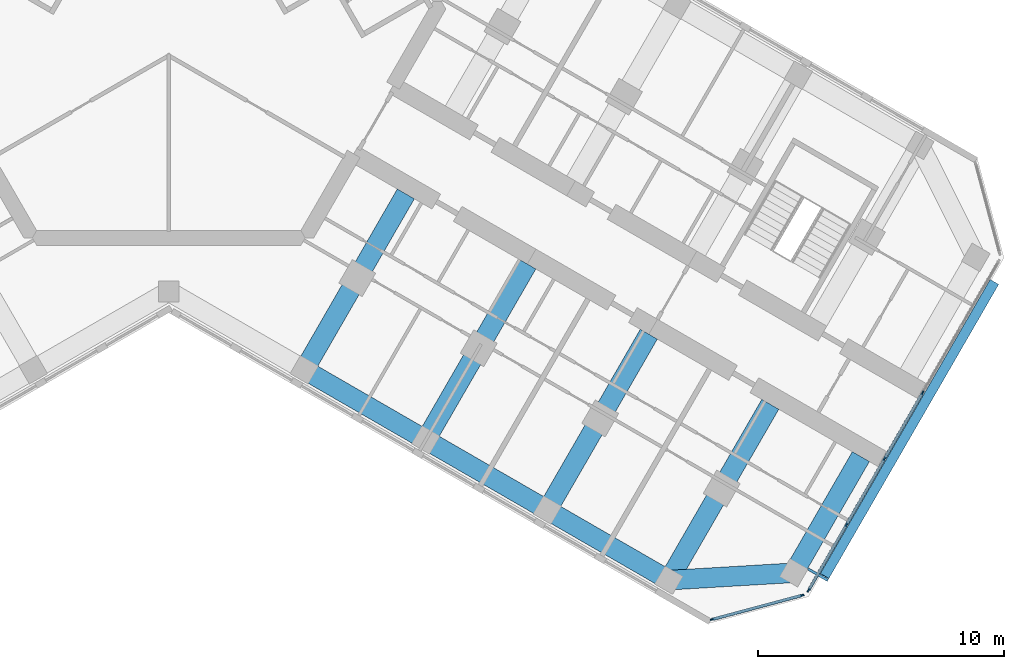
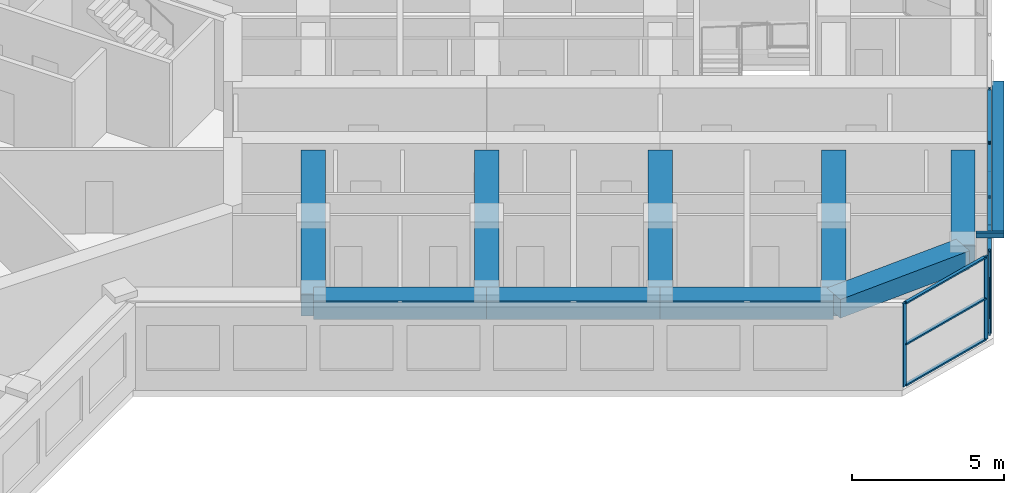
# One storey, part 4 of 16: 17 members, 9 beams, 2 elements without a shape of their own.
"""IFC4 building model written with IfcOpenShell, lengths in metres."""

from ifc_helpers import new_model, si_unit, direction, frame, origin, origin_2d, place, context, subcontext, project, spatial, rectangle, hollow_rectangle, extrude, material, material_profile, profile_set, type_object, element, aggregate, save


model = new_model("IFC4")

# Units and contexts
model_context = context("Model", 3, precision=1e-05, world=origin(), true_north=direction((0.0, 1.0)))
body_context = subcontext(model_context, "Body", "Model", "MODEL_VIEW")
ifc_project = project(units=[si_unit("LENGTHUNIT", "METRE"), si_unit("AREAUNIT", "SQUARE_METRE"), si_unit("VOLUMEUNIT", "CUBIC_METRE"), si_unit("PLANEANGLEUNIT", "RADIAN"), si_unit("MASSUNIT", "GRAM", prefix="KILO")], contexts=[model_context])

# Site, building, storey
site_placement = place(None, origin())
site = spatial("IfcSite", under=ifc_project, at=site_placement, CompositionType="ELEMENT")
building_placement = place(site_placement, origin())
building = spatial("IfcBuilding", under=site, at=building_placement, Name="Kosmar Iwan School Tower", CompositionType="ELEMENT")
storey_placement = place(building_placement, frame((0.0, 0.0, 235.199951171875)))
storey = spatial("IfcBuildingStorey", under=building, at=storey_placement, Name="L59", CompositionType="ELEMENT", Elevation=235.199951171875)

# Members
ifc_material_1 = material(Name="Black anodised aluminium", Category="aluminium")
ifc_material_profile_1 = material_profile(ifc_material_1, rectangle(XDim=0.10009765625, YDim=0.39990234375, at=origin_2d()), Name="FIN 100x400")
ifc_profile_set_1 = profile_set([ifc_material_profile_1], Name="Black anodised aluminium")
member_type_1 = type_object("IfcMemberType", Name="Diagonal fin 100x400", PredefinedType="USERDEFINED", material=ifc_profile_set_1)
member_1_placement = place(storey_placement, frame((33.54345703125, -11.40087890625, -0.14990234375), z_axis=(-0.483795538458, -0.837973939202, 0.252470897702), x_axis=(0.126233699175, 0.218647221293, 0.967604488318)))
element("IfcMember", 1, at=member_1_placement, inside=storey, type_object=member_type_1, Name="Diagonal fin L59-F01", ObjectType="FIN", PredefinedType="USERDEFINED", context=body_context, shape_type="SweptSolid", body=[
    extrude(rectangle(XDim=0.10009765625, YDim=0.39990234375, at=origin_2d()), origin(), (0.0, 0.0, 1.0), 14.258544921875),
])
ifc_material_2 = material(Name="Steel S355", Category="steel")
ifc_material_profile_2 = material_profile(ifc_material_2, hollow_rectangle(XDim=0.10009765625, YDim=0.199951171875, WallThickness=0.008056640625, at=origin_2d()), Name="RHS 200x100x8")
ifc_profile_set_2 = profile_set([ifc_material_profile_2], Name="Steel S355")
member_type_2 = type_object("IfcMemberType", Name="Fin bracket RHS 200x100", PredefinedType="USERDEFINED", material=ifc_profile_set_2)
member_2_placement = place(storey_placement, frame((25.97900390625, -23.052978515625, 3.47509765625), z_axis=(0.865943820382, -0.500141279983, 0.0), x_axis=(0.500141279983, 0.865943820382, 0.0)))
element("IfcMember", 2, at=member_2_placement, inside=storey, type_object=member_type_2, Name="Fin bracket L60", ObjectType="FIN BRACKET", PredefinedType="USERDEFINED", context=body_context, shape_type="SweptSolid", body=[
    extrude(hollow_rectangle(XDim=0.10009765625, YDim=0.199951171875, WallThickness=0.008056640625, at=origin_2d()), origin(), (0.0, 0.0, 1.0), 0.925048828125),
])

# Curtain wall, members
ifc_material_3 = material(Name="Dark glass in black aluminium frame", Category="aluminium")
curtain_wall_type_1 = type_object("IfcCurtainWallType", Name="Chamfer curtain wall dark glass", PredefinedType="USERDEFINED", material=ifc_material_3)
curtain_wall_1_placement = place(storey_placement, origin())
curtain_wall_1 = element("IfcCurtainWall", 3, at=curtain_wall_1_placement, inside=storey, type_object=curtain_wall_type_1, Name="Curtain wall L59-F00", ObjectType="FACETED CURTAIN WALL", PredefinedType="USERDEFINED")
ifc_material_4 = material(Name="Black anodised aluminium", Category="aluminium")
ifc_material_profile_3 = material_profile(ifc_material_4, rectangle(XDim=0.06005859375, YDim=0.159912109375, at=origin_2d()), Name="MULLION 60x160")
ifc_profile_set_3 = profile_set([ifc_material_profile_3], Name="Black anodised aluminium")
member_type_3 = type_object("IfcMemberType", Name="Mullion 60x160", PredefinedType="MULLION", material=ifc_profile_set_3)
member_3_placement = place(storey_placement, frame((22.0830078125, -25.102294921875, 0.0), z_axis=(0.0, 0.0, 1.0), x_axis=(-0.258818861462, 0.965925875495, 0.0)))
member_3 = element("IfcMember", 4, at=member_3_placement, type_object=member_type_3, Name="CW2 mullion 1", PredefinedType="MULLION", context=body_context, shape_type="SweptSolid", body=[
    extrude(rectangle(XDim=0.06005859375, YDim=0.159912109375, at=origin_2d()), origin(), (0.0, 0.0, 1.0), 3.35009765625),
])
member_4_placement = place(storey_placement, frame((25.733154296875, -24.124267578125, 0.0), z_axis=(0.0, 0.0, 1.0), x_axis=(-0.258818861462, 0.965925875495, 0.0)))
member_4 = element("IfcMember", 5, at=member_4_placement, type_object=member_type_3, Name="CW2 mullion 2", PredefinedType="MULLION", context=body_context, shape_type="SweptSolid", body=[
    extrude(rectangle(XDim=0.06005859375, YDim=0.159912109375, at=origin_2d()), origin(), (0.0, 0.0, 1.0), 3.35009765625),
])

ifc_material_5 = material(Name="Dark glass in black aluminium frame", Category="aluminium")
curtain_wall_type_2 = type_object("IfcCurtainWallType", Name="Tower curtain wall dark glass", PredefinedType="USERDEFINED", material=ifc_material_5)
curtain_wall_2_placement = place(storey_placement, origin())
curtain_wall_2 = element("IfcCurtainWall", 6, at=curtain_wall_2_placement, inside=storey, type_object=curtain_wall_type_2, Name="Curtain wall L59-F01", ObjectType="UNITISED CURTAIN WALL", PredefinedType="USERDEFINED")
member_5_placement = place(storey_placement, frame((25.9970703125, -23.921630859375, 0.0), z_axis=(0.0, 0.0, 1.0), x_axis=(-0.866025405329, 0.499999997325, 0.0)))
member_5 = element("IfcMember", 7, at=member_5_placement, type_object=member_type_3, Name="CW1 mullion 1", PredefinedType="MULLION", context=body_context, shape_type="SweptSolid", body=[
    extrude(rectangle(XDim=0.06005859375, YDim=0.159912109375, at=origin_2d()), origin(), (0.0, 0.0, 1.0), 3.35009765625),
])
member_6_placement = place(storey_placement, frame((27.53173828125, -21.263671875, 0.0), z_axis=(0.0, 0.0, 1.0), x_axis=(-0.866025405329, 0.499999997325, 0.0)))
member_6 = element("IfcMember", 8, at=member_6_placement, type_object=member_type_3, Name="CW1 mullion 2", PredefinedType="MULLION", context=body_context, shape_type="SweptSolid", body=[
    extrude(rectangle(XDim=0.06005859375, YDim=0.159912109375, at=origin_2d()), origin(), (0.0, 0.0, 1.0), 3.35009765625),
])
member_7_placement = place(storey_placement, frame((29.081298828125, -18.57958984375, 0.0), z_axis=(0.0, 0.0, 1.0), x_axis=(-0.866025405329, 0.499999997325, 0.0)))
member_7 = element("IfcMember", 9, at=member_7_placement, type_object=member_type_3, Name="CW1 mullion 3", PredefinedType="MULLION", context=body_context, shape_type="SweptSolid", body=[
    extrude(rectangle(XDim=0.06005859375, YDim=0.159912109375, at=origin_2d()), origin(), (0.0, 0.0, 1.0), 3.35009765625),
])
member_8_placement = place(storey_placement, frame((30.631103515625, -15.8955078125, 0.0), z_axis=(0.0, 0.0, 1.0), x_axis=(-0.866025405329, 0.499999997325, 0.0)))
member_8 = element("IfcMember", 10, at=member_8_placement, type_object=member_type_3, Name="CW1 mullion 4", PredefinedType="MULLION", context=body_context, shape_type="SweptSolid", body=[
    extrude(rectangle(XDim=0.06005859375, YDim=0.159912109375, at=origin_2d()), origin(), (0.0, 0.0, 1.0), 3.35009765625),
])

# Beams
ifc_material_6 = material(Name="Concrete C50/60", Category="concrete")
ifc_material_profile_4 = material_profile(ifc_material_6, rectangle(XDim=0.800048828125, YDim=0.75, at=origin_2d()), Name="RC 800x750")
ifc_profile_set_4 = profile_set([ifc_material_profile_4], Name="Concrete C50/60")
beam_type_1 = type_object("IfcBeamType", Name="RC edge beam 800x750", PredefinedType="BEAM", material=ifc_profile_set_4)
beam_1_placement = place(storey_placement, frame((5.5087890625, -14.95849609375, 2.97509765625), z_axis=(0.866033658841, -0.49998570155, 0.0), x_axis=(0.49998570155, 0.866033658841, 0.0)))
element("IfcBeam", 11, at=beam_1_placement, inside=storey, type_object=beam_type_1, Name="Edge beam CR2", PredefinedType="BEAM", context=body_context, shape_type="SweptSolid", body=[
    extrude(rectangle(XDim=0.800048828125, YDim=0.75, at=origin_2d()), origin(), (0.0, 0.0, 1.0), 5.699951171875),
])
beam_2_placement = place(storey_placement, frame((10.445068359375, -17.808349609375, 2.97509765625), z_axis=(0.866025820012, -0.499999279071, 0.0), x_axis=(0.499999279071, 0.866025820012, 0.0)))
element("IfcBeam", 12, at=beam_2_placement, inside=storey, type_object=beam_type_1, Name="Edge beam CR3", PredefinedType="BEAM", context=body_context, shape_type="SweptSolid", body=[
    extrude(rectangle(XDim=0.800048828125, YDim=0.75, at=origin_2d()), origin(), (0.0, 0.0, 1.0), 5.7001953125),
])
beam_3_placement = place(storey_placement, frame((15.381591796875, -20.658447265625, 2.97509765625), z_axis=(0.866015111908, -0.50001782563, 0.0), x_axis=(0.50001782563, 0.866015111908, 0.0)))
element("IfcBeam", 13, at=beam_3_placement, inside=storey, type_object=beam_type_1, Name="Edge beam CR4", PredefinedType="BEAM", context=body_context, shape_type="SweptSolid", body=[
    extrude(rectangle(XDim=0.800048828125, YDim=0.75, at=origin_2d()), origin(), (0.0, 0.0, 1.0), 5.699951171875),
])
ifc_material_7 = material(Name="Concrete C50/60", Category="concrete")
ifc_material_profile_5 = material_profile(ifc_material_7, rectangle(XDim=0.800048828125, YDim=0.75, at=origin_2d()), Name="RC 800x750")
ifc_profile_set_5 = profile_set([ifc_material_profile_5], Name="Concrete C50/60")
beam_type_2 = type_object("IfcBeamType", Name="RC tip beam 800x750", PredefinedType="BEAM", material=ifc_profile_set_5)
beam_4_placement = place(storey_placement, frame((20.31787109375, -23.508544921875, 2.97509765625), z_axis=(0.998260616478, 0.058955420358, 0.0), x_axis=(-0.058955420358, 0.998260616478, 0.0)))
element("IfcBeam", 14, at=beam_4_placement, inside=storey, type_object=beam_type_2, Name="Tip beam CR", PredefinedType="BEAM", context=body_context, shape_type="SweptSolid", body=[
    extrude(rectangle(XDim=0.800048828125, YDim=0.75, at=origin_2d()), origin(), (0.0, 0.0, 1.0), 5.08935546875),
])
beam_5_placement = place(storey_placement, frame((25.3984375, -23.20849609375, 2.97509765625), z_axis=(0.500022328685, 0.866012511928, 0.0), x_axis=(-0.866012511928, 0.500022328685, 0.0)))
element("IfcBeam", 15, at=beam_5_placement, inside=storey, type_object=beam_type_2, Name="Tip beam CR to corridor wall", PredefinedType="BEAM", context=body_context, shape_type="SweptSolid", body=[
    extrude(rectangle(XDim=0.800048828125, YDim=0.75, at=origin_2d()), origin(), (0.0, 0.0, 1.0), 5.449951171875),
])
ifc_material_8 = material(Name="Concrete C50/60", Category="concrete")
ifc_material_profile_6 = material_profile(ifc_material_8, rectangle(XDim=0.800048828125, YDim=0.89990234375, at=origin_2d()), Name="RC 800x900")
ifc_profile_set_6 = profile_set([ifc_material_profile_6], Name="Concrete C50/60")
beam_type_3 = type_object("IfcBeamType", Name="RC transverse beam 800x900", PredefinedType="BEAM", material=ifc_profile_set_6)
beam_6_placement = place(storey_placement, frame((5.5087890625, -14.95849609375, 2.900146484375), z_axis=(0.499996545922, 0.866027397988, 0.0), x_axis=(-0.866027397988, 0.499996545922, 0.0)))
element("IfcBeam", 16, at=beam_6_placement, inside=storey, type_object=beam_type_3, Name="Transverse beam CR1", PredefinedType="BEAM", context=body_context, shape_type="SweptSolid", body=[
    extrude(rectangle(XDim=0.800048828125, YDim=0.89990234375, at=origin_2d()), origin(), (0.0, 0.0, 1.0), 8.25),
])
beam_7_placement = place(storey_placement, frame((10.445068359375, -17.808349609375, 2.900146484375), z_axis=(0.500009360108, 0.866019999656, 0.0), x_axis=(-0.866019999656, 0.500009360108, 0.0)))
element("IfcBeam", 17, at=beam_7_placement, inside=storey, type_object=beam_type_3, Name="Transverse beam CR2", PredefinedType="BEAM", context=body_context, shape_type="SweptSolid", body=[
    extrude(rectangle(XDim=0.800048828125, YDim=0.89990234375, at=origin_2d()), origin(), (0.0, 0.0, 1.0), 8.249755859375),
])
for number, where, z_axis, x_axis, name in (
    (18, (15.381591796875, -20.658447265625, 2.900146484375), (0.499996545922, 0.866027397988, 0.0), (-0.866027397988, 0.499996545922, 0.0), "Transverse beam CR3"),
    (19, (20.31787109375, -23.508544921875, 2.900146484375), (0.499996545922, 0.866027397988, 0.0), (-0.866027397988, 0.499996545922, 0.0), "Transverse beam CR4"),
):
    element("IfcBeam", number, at=place(storey_placement, frame(where, z_axis=z_axis, x_axis=x_axis)), inside=storey, type_object=beam_type_3, Name=name, PredefinedType="BEAM", context=body_context, shape_type="SweptSolid", body=[
        extrude(rectangle(XDim=0.800048828125, YDim=0.89990234375, at=origin_2d()), origin(), (0.0, 0.0, 1.0), 8.25),
    ])

# Member
ifc_material_9 = material(Name="Black anodised aluminium", Category="aluminium")
ifc_material_profile_7 = material_profile(ifc_material_9, rectangle(XDim=0.1201171875, YDim=0.06005859375, at=origin_2d()), Name="TRANSOM 60x120")
ifc_profile_set_7 = profile_set([ifc_material_profile_7], Name="Black anodised aluminium")
member_type_4 = type_object("IfcMemberType", Name="Transom 60x120", PredefinedType="USERDEFINED", material=ifc_profile_set_7)
member_9_placement = place(storey_placement, frame((22.11181640625, -25.094482421875, 0.030029296875), z_axis=(0.965923731726, 0.258826861991, 0.0), x_axis=(-0.258826861991, 0.965923731726, 0.0)))
member_9 = element("IfcMember", 20, at=member_9_placement, type_object=member_type_4, Name="CW2 transom 1.1", ObjectType="TRANSOM", PredefinedType="USERDEFINED", context=body_context, shape_type="SweptSolid", body=[
    extrude(rectangle(XDim=0.1201171875, YDim=0.06005859375, at=origin_2d()), origin(), (0.0, 0.0, 1.0), 3.71923828125),
])

member_10_placement = place(storey_placement, frame((22.11181640625, -25.094482421875, 1.675048828125), z_axis=(0.965923731726, 0.258826861991, 0.0), x_axis=(-0.258826861991, 0.965923731726, 0.0)))
member_10 = element("IfcMember", 21, at=member_10_placement, type_object=member_type_4, Name="CW2 transom 1.2", ObjectType="TRANSOM", PredefinedType="USERDEFINED", context=body_context, shape_type="SweptSolid", body=[
    extrude(rectangle(XDim=0.1201171875, YDim=0.06005859375, at=origin_2d()), origin(), (0.0, 0.0, 1.0), 3.71923828125),
])

member_11_placement = place(storey_placement, frame((22.11181640625, -25.094482421875, 3.320068359375), z_axis=(0.965923731726, 0.258826861991, 0.0), x_axis=(-0.258826861991, 0.965923731726, 0.0)))
member_11 = element("IfcMember", 22, at=member_11_placement, type_object=member_type_4, Name="CW2 transom 1.3", ObjectType="TRANSOM", PredefinedType="USERDEFINED", context=body_context, shape_type="SweptSolid", body=[
    extrude(rectangle(XDim=0.1201171875, YDim=0.06005859375, at=origin_2d()), origin(), (0.0, 0.0, 1.0), 3.71923828125),
])

aggregate(curtain_wall_1, [member_3, member_4, member_9, member_10, member_11])

member_12_placement = place(storey_placement, frame((26.01220703125, -23.895751953125, 0.030029296875), z_axis=(0.499986971506, 0.866032925658, 0.0), x_axis=(-0.866032925658, 0.499986971506, 0.0)))
member_12 = element("IfcMember", 23, at=member_12_placement, type_object=member_type_4, Name="CW1 transom 1.1", ObjectType="TRANSOM", PredefinedType="USERDEFINED", context=body_context, shape_type="SweptSolid", body=[
    extrude(rectangle(XDim=0.1201171875, YDim=0.06005859375, at=origin_2d()), origin(), (0.0, 0.0, 1.0), 3.00927734375),
])

member_13_placement = place(storey_placement, frame((26.01220703125, -23.895751953125, 3.320068359375), z_axis=(0.499986971506, 0.866032925658, 0.0), x_axis=(-0.866032925658, 0.499986971506, 0.0)))
member_13 = element("IfcMember", 24, at=member_13_placement, type_object=member_type_4, Name="CW1 transom 1.2", ObjectType="TRANSOM", PredefinedType="USERDEFINED", context=body_context, shape_type="SweptSolid", body=[
    extrude(rectangle(XDim=0.1201171875, YDim=0.06005859375, at=origin_2d()), origin(), (0.0, 0.0, 1.0), 3.00927734375),
])

member_14_placement = place(storey_placement, frame((27.546875, -21.237548828125, 0.030029296875), z_axis=(0.499975102327, 0.866039777986, 0.0), x_axis=(-0.866039777986, 0.499975102327, 0.0)))
member_14 = element("IfcMember", 25, at=member_14_placement, type_object=member_type_4, Name="CW1 transom 2.1", ObjectType="TRANSOM", PredefinedType="USERDEFINED", context=body_context, shape_type="SweptSolid", body=[
    extrude(rectangle(XDim=0.1201171875, YDim=0.06005859375, at=origin_2d()), origin(), (0.0, 0.0, 1.0), 3.039306640625),
])

member_15_placement = place(storey_placement, frame((27.546875, -21.237548828125, 3.320068359375), z_axis=(0.499975102327, 0.866039777986, 0.0), x_axis=(-0.866039777986, 0.499975102327, 0.0)))
member_15 = element("IfcMember", 26, at=member_15_placement, type_object=member_type_4, Name="CW1 transom 2.2", ObjectType="TRANSOM", PredefinedType="USERDEFINED", context=body_context, shape_type="SweptSolid", body=[
    extrude(rectangle(XDim=0.1201171875, YDim=0.06005859375, at=origin_2d()), origin(), (0.0, 0.0, 1.0), 3.039306640625),
])

member_16_placement = place(storey_placement, frame((29.096435546875, -18.553466796875, 0.030029296875), z_axis=(0.499975102327, 0.866039777986, 0.0), x_axis=(-0.866039777986, 0.499975102327, 0.0)))
member_16 = element("IfcMember", 27, at=member_16_placement, type_object=member_type_4, Name="CW1 transom 3.1", ObjectType="TRANSOM", PredefinedType="USERDEFINED", context=body_context, shape_type="SweptSolid", body=[
    extrude(rectangle(XDim=0.1201171875, YDim=0.06005859375, at=origin_2d()), origin(), (0.0, 0.0, 1.0), 3.039306640625),
])

member_17_placement = place(storey_placement, frame((29.096435546875, -18.553466796875, 3.320068359375), z_axis=(0.499975102327, 0.866039777986, 0.0), x_axis=(-0.866039777986, 0.499975102327, 0.0)))
member_17 = element("IfcMember", 28, at=member_17_placement, type_object=member_type_4, Name="CW1 transom 3.2", ObjectType="TRANSOM", PredefinedType="USERDEFINED", context=body_context, shape_type="SweptSolid", body=[
    extrude(rectangle(XDim=0.1201171875, YDim=0.06005859375, at=origin_2d()), origin(), (0.0, 0.0, 1.0), 3.039306640625),
])

aggregate(curtain_wall_2, [member_5, member_6, member_7, member_8, member_12, member_13, member_14, member_15, member_16, member_17])

save(model, "model.ifc")
